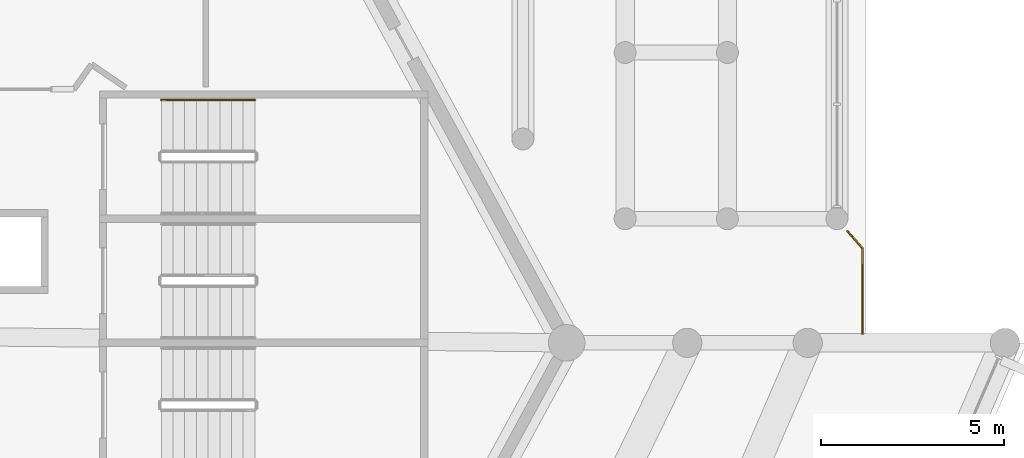
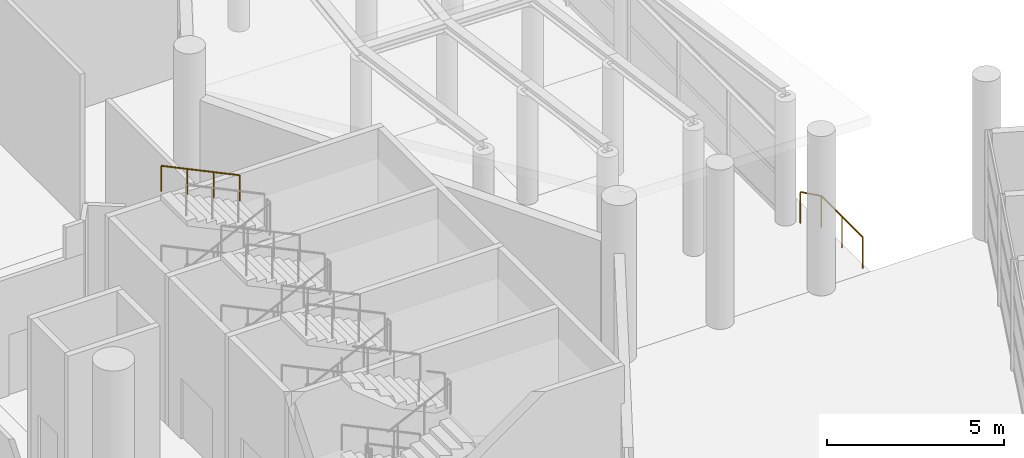
# One storey, part 248 of 271: 2 railings.
"""IFC4 building model written with IfcOpenShell, lengths in metres."""

from ifc_helpers import new_model, si_unit, direction, frame, origin, origin_2d, place, context, subcontext, project, spatial, circle, extrude, material, type_object, element, save


model = new_model("IFC4")

# Units and contexts
model_context = context("Model", 3, precision=1e-05, world=origin(), true_north=direction((0.0, 1.0)))
body_context = subcontext(model_context, "Body", "Model", "MODEL_VIEW")
ifc_project = project(units=[si_unit("LENGTHUNIT", "METRE"), si_unit("AREAUNIT", "SQUARE_METRE"), si_unit("VOLUMEUNIT", "CUBIC_METRE"), si_unit("PLANEANGLEUNIT", "RADIAN"), si_unit("MASSUNIT", "GRAM", prefix="KILO")], contexts=[model_context])

# Site, building, storey
site_placement = place(None, origin())
site = spatial("IfcSite", under=ifc_project, at=site_placement, CompositionType="ELEMENT")
building_placement = place(site_placement, origin())
building = spatial("IfcBuilding", under=site, at=building_placement, Name="Meseta Stadium", CompositionType="ELEMENT")
storey_placement = place(building_placement, frame((0.0, 0.0, 6.5)))
storey = spatial("IfcBuildingStorey", under=building, at=storey_placement, Name="L01", CompositionType="ELEMENT", Elevation=6.5)

# Railings
ifc_material_1 = material(Name="Steel S355", Category="steel")
railing_type_1 = type_object("IfcRailingType", Name="Plate edge guard 1100", PredefinedType="GUARDRAIL", material=ifc_material_1)
railing_1_placement = place(storey_placement, frame((109.08837890625, -3.1953125, 0.0)))
element("IfcRailing", 1, at=railing_1_placement, inside=storey, type_object=railing_type_1, Name="Gate hall edge guard 1", PredefinedType="GUARDRAIL", context=body_context, shape_type="SweptSolid", body=[
    extrude(circle(Radius=0.02490234375, at=origin_2d()), frame((0.0, 0.0, 1.0751953125), z_axis=(0.664119312189, -0.747626604113, 0.0), x_axis=(0.747626604113, 0.664119312189, 0.0)), (0.0, 0.0, 1.0), 0.619873046875),
    extrude(circle(Radius=0.02490234375, at=origin_2d()), frame((0.41162109375, -0.46337890625, 1.0751953125), z_axis=(0.0, -1.0, 0.0), x_axis=(1.0, 0.0, 0.0)), (0.0, 0.0, 1.0), 2.34130859375),
    extrude(circle(Radius=0.02001953125, at=origin_2d()), origin(), (0.0, 0.0, 1.0), 1.050048828125),
    extrude(circle(Radius=0.02001953125, at=origin_2d()), frame((0.41162109375, -0.46337890625, 0.0)), (0.0, 0.0, 1.0), 1.050048828125),
    extrude(circle(Radius=0.02001953125, at=origin_2d()), frame((0.41162109375, -1.634033203125, 0.0)), (0.0, 0.0, 1.0), 1.050048828125),
    extrude(circle(Radius=0.02001953125, at=origin_2d()), frame((0.41162109375, -2.8046875, 0.0)), (0.0, 0.0, 1.0), 1.050048828125),
])
ifc_material_2 = material(Name="Steel S355", Category="steel")
railing_type_2 = type_object("IfcRailingType", Name="Stair handrail 900", PredefinedType="HANDRAIL", material=ifc_material_2)
railing_2_placement = place(storey_placement, frame((92.860107421875, 0.39990234375, 4.27783203125)))
element("IfcRailing", 2, at=railing_2_placement, inside=storey, type_object=railing_type_2, Name="ST12 L01 handrail 4", PredefinedType="HANDRAIL", context=body_context, shape_type="SweptSolid", body=[
    extrude(circle(Radius=0.02392578125, at=origin_2d()), frame((0.0, 0.0, 0.8759765625), z_axis=(-0.902436934422, 0.0, 0.430821981091), x_axis=(0.0, -1.0, 0.0)), (0.0, 0.0, 1.0), 2.8369140625),
    extrude(circle(Radius=0.02099609375, at=origin_2d()), origin(), (0.0, 0.0, 1.0), 0.851806640625),
    extrude(circle(Radius=0.02099609375, at=origin_2d()), frame((-0.853271484375, 0.0, 0.407470703125)), (0.0, 0.0, 1.0), 0.851806640625),
    extrude(circle(Radius=0.02099609375, at=origin_2d()), frame((-1.706787109375, 0.0, 0.814697265625)), (0.0, 0.0, 1.0), 0.851806640625),
    extrude(circle(Radius=0.02099609375, at=origin_2d()), frame((-2.56005859375, 0.0, 1.22216796875)), (0.0, 0.0, 1.0), 0.851806640625),
])

save(model, "model.ifc")
